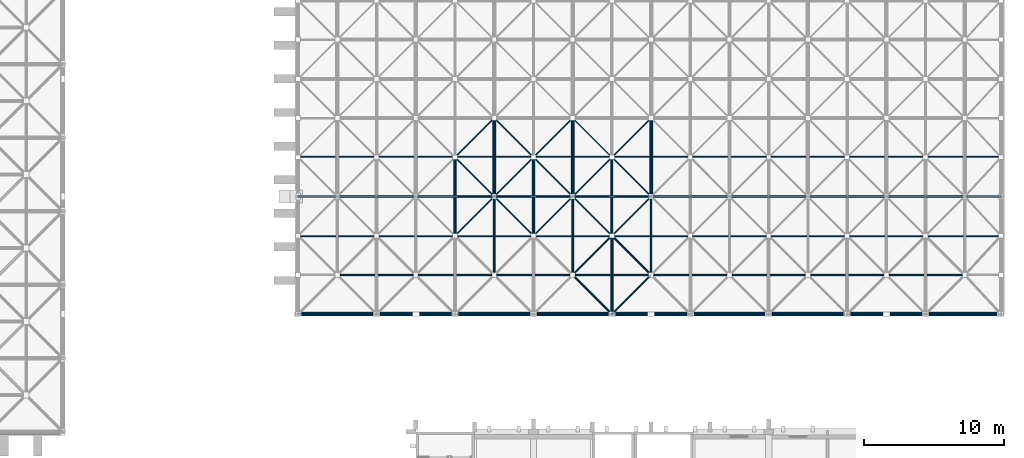
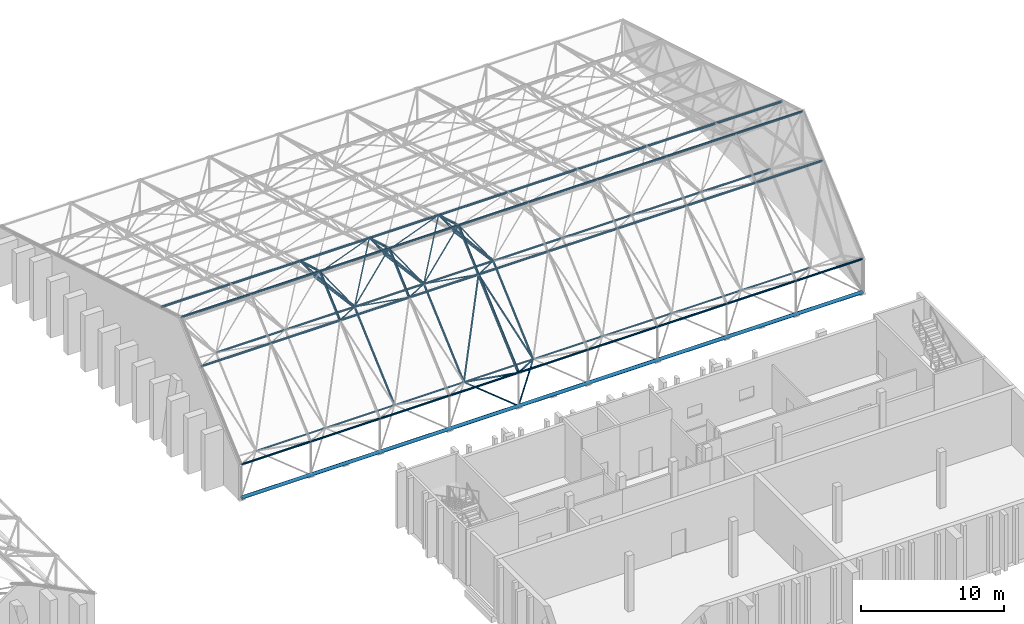
# One storey, part 34 of 100: 46 members.
"""IFC4 building model written with IfcOpenShell, lengths in metres."""

from ifc_helpers import new_model, si_unit, direction, frame, origin, origin_2d, place, context, subcontext, project, spatial, hollow_circle, extrude, material, material_profile, profile_set, type_object, element, save


model = new_model("IFC4")

# Units and contexts
model_context = context("Model", 3, precision=1e-05, world=origin(), true_north=direction((0.0, 1.0)))
body_context = subcontext(model_context, "Body", "Model", "MODEL_VIEW")
ifc_project = project(units=[si_unit("LENGTHUNIT", "METRE"), si_unit("AREAUNIT", "SQUARE_METRE"), si_unit("VOLUMEUNIT", "CUBIC_METRE"), si_unit("PLANEANGLEUNIT", "RADIAN"), si_unit("MASSUNIT", "GRAM", prefix="KILO")], contexts=[model_context])

# Site, building, storey
site_placement = place(None, origin())
site = spatial("IfcSite", under=ifc_project, at=site_placement, CompositionType="ELEMENT")
building_placement = place(site_placement, origin())
building = spatial("IfcBuilding", under=site, at=building_placement, Name="Kiln Court Media Centre", CompositionType="ELEMENT")
storey_placement = place(building_placement, frame((0.0, 0.0, 15.0)))
storey = spatial("IfcBuildingStorey", under=building, at=storey_placement, Name="L03", CompositionType="ELEMENT", Elevation=15.0)

# Members
ifc_material_1 = material(Name="Steel ASTM A500 Gr C", Category="steel")
ifc_material_profile_1 = material_profile(ifc_material_1, hollow_circle(Radius=0.05078125, WallThickness=0.0048828125, at=origin_2d()), Name="CHS 101.6x5.0")
ifc_profile_set_1 = profile_set([ifc_material_profile_1], Name="Steel ASTM A500 Gr C")
member_type_1 = type_object("IfcMemberType", Name="Steel ASTM A500 Gr C CHS 101.6x5.0 space frame brace", PredefinedType="BRACE", material=ifc_profile_set_1)
member_1_placement = place(storey_placement, frame((131.60009765625, 42.0, 6.478271484375), z_axis=(-0.660047429834, -0.660047429834, 0.358712671563), x_axis=(0.707106781187, -0.707106781187, 0.0)))
element("IfcMember", 1, at=member_1_placement, inside=storey, type_object=member_type_1, Name="V2 roof diagonal 2-3 space frame brace", PredefinedType="BRACE", context=body_context, shape_type="SweptSolid", body=[
    extrude(hollow_circle(Radius=0.05078125, WallThickness=0.0048828125, at=origin_2d()), origin(), (0.0, 0.0, 1.0), 4.2421875),
])
member_2_placement = place(storey_placement, frame((131.60009765625, 42.0, 6.478271484375), z_axis=(-0.550758393182, 0.550758393182, 0.627160573281), x_axis=(-0.707106781187, -0.707106781187, 0.0)))
element("IfcMember", 2, at=member_2_placement, inside=storey, type_object=member_type_1, Name="V2 roof diagonal 2-3 space frame brace", PredefinedType="BRACE", context=body_context, shape_type="SweptSolid", body=[
    extrude(hollow_circle(Radius=0.05078125, WallThickness=0.0048828125, at=origin_2d()), origin(), (0.0, 0.0, 1.0), 5.083984375),
])
member_3_placement = place(storey_placement, frame((131.60009765625, 42.0, 6.478271484375), z_axis=(0.660014950047, -0.660072502799, 0.358726297841), x_axis=(0.70713760873, 0.707075952299, 0.0)))
element("IfcMember", 3, at=member_3_placement, inside=storey, type_object=member_type_1, Name="V2 roof diagonal 2-3 space frame brace", PredefinedType="BRACE", context=body_context, shape_type="SweptSolid", body=[
    extrude(hollow_circle(Radius=0.05078125, WallThickness=0.0048828125, at=origin_2d()), origin(), (0.0, 0.0, 1.0), 4.241943359375),
])
member_4_placement = place(storey_placement, frame((131.60009765625, 42.0, 6.478271484375), z_axis=(0.550724936959, 0.550772959713, 0.627177160506), x_axis=(-0.70713760873, 0.707075952299, 0.0)))
element("IfcMember", 4, at=member_4_placement, inside=storey, type_object=member_type_1, Name="V2 roof diagonal 2-3 space frame brace", PredefinedType="BRACE", context=body_context, shape_type="SweptSolid", body=[
    extrude(hollow_circle(Radius=0.05078125, WallThickness=0.0048828125, at=origin_2d()), origin(), (0.0, 0.0, 1.0), 5.083740234375),
])
for number, where, z_axis, x_axis, name in (
    (5, (131.60009765625, 42.0, 6.478271484375), (-0.571384117126, 0.0, 0.820682758864), (0.0, -1.0, 0.0), "V2 roof ridge diagonal 2-3 space frame brace"),
    (6, (131.60009765625, 42.0, 6.478271484375), (0.571350561003, 0.0, 0.820706120631), (0.0, 1.0, 0.0), "V2 roof ridge diagonal 2-3 space frame brace"),
):
    element("IfcMember", number, at=place(storey_placement, frame(where, z_axis=z_axis, x_axis=x_axis)), inside=storey, type_object=member_type_1, Name=name, PredefinedType="BRACE", context=body_context, shape_type="SweptSolid", body=[
        extrude(hollow_circle(Radius=0.05078125, WallThickness=0.0048828125, at=origin_2d()), origin(), (0.0, 0.0, 1.0), 4.900390625),
    ])
member_5_placement = place(storey_placement, frame((137.199951171875, 42.0, 6.478271484375), z_axis=(-0.660047429834, -0.660047429834, 0.358712671563), x_axis=(0.707106781187, -0.707106781187, 0.0)))
element("IfcMember", 7, at=member_5_placement, inside=storey, type_object=member_type_1, Name="V2 roof diagonal 2-4 space frame brace", PredefinedType="BRACE", context=body_context, shape_type="SweptSolid", body=[
    extrude(hollow_circle(Radius=0.05078125, WallThickness=0.0048828125, at=origin_2d()), origin(), (0.0, 0.0, 1.0), 4.2421875),
])
member_6_placement = place(storey_placement, frame((137.199951171875, 42.0, 6.478271484375), z_axis=(-0.550758393182, 0.550758393182, 0.627160573281), x_axis=(-0.707106781187, -0.707106781187, 0.0)))
element("IfcMember", 8, at=member_6_placement, inside=storey, type_object=member_type_1, Name="V2 roof diagonal 2-4 space frame brace", PredefinedType="BRACE", context=body_context, shape_type="SweptSolid", body=[
    extrude(hollow_circle(Radius=0.05078125, WallThickness=0.0048828125, at=origin_2d()), origin(), (0.0, 0.0, 1.0), 5.083984375),
])
member_7_placement = place(storey_placement, frame((137.199951171875, 42.0, 6.478271484375), z_axis=(0.660047429834, -0.660047429834, 0.358712671563), x_axis=(0.707106781187, 0.707106781187, 0.0)))
element("IfcMember", 9, at=member_7_placement, inside=storey, type_object=member_type_1, Name="V2 roof diagonal 2-4 space frame brace", PredefinedType="BRACE", context=body_context, shape_type="SweptSolid", body=[
    extrude(hollow_circle(Radius=0.05078125, WallThickness=0.0048828125, at=origin_2d()), origin(), (0.0, 0.0, 1.0), 4.2421875),
])
member_8_placement = place(storey_placement, frame((137.199951171875, 42.0, 6.478271484375), z_axis=(0.550758393182, 0.550758393182, 0.627160573281), x_axis=(-0.707106781187, 0.707106781187, 0.0)))
element("IfcMember", 10, at=member_8_placement, inside=storey, type_object=member_type_1, Name="V2 roof diagonal 2-4 space frame brace", PredefinedType="BRACE", context=body_context, shape_type="SweptSolid", body=[
    extrude(hollow_circle(Radius=0.05078125, WallThickness=0.0048828125, at=origin_2d()), origin(), (0.0, 0.0, 1.0), 5.083984375),
])
for number, where, z_axis, x_axis, name in (
    (11, (137.199951171875, 42.0, 6.478271484375), (-0.571384117126, 0.0, 0.820682758864), (0.0, -1.0, 0.0), "V2 roof ridge diagonal 2-4 space frame brace"),
    (12, (137.199951171875, 42.0, 6.478271484375), (0.571384117126, 0.0, 0.820682758864), (0.0, 1.0, 0.0), "V2 roof ridge diagonal 2-4 space frame brace"),
):
    element("IfcMember", number, at=place(storey_placement, frame(where, z_axis=z_axis, x_axis=x_axis)), inside=storey, type_object=member_type_1, Name=name, PredefinedType="BRACE", context=body_context, shape_type="SweptSolid", body=[
        extrude(hollow_circle(Radius=0.05078125, WallThickness=0.0048828125, at=origin_2d()), origin(), (0.0, 0.0, 1.0), 4.900390625),
    ])
member_9_placement = place(storey_placement, frame((142.800048828125, 42.0, 6.478271484375), z_axis=(-0.660047429834, -0.660047429834, 0.358712671563), x_axis=(0.707106781187, -0.707106781187, 0.0)))
element("IfcMember", 13, at=member_9_placement, inside=storey, type_object=member_type_1, Name="V2 roof diagonal 2-5 space frame brace", PredefinedType="BRACE", context=body_context, shape_type="SweptSolid", body=[
    extrude(hollow_circle(Radius=0.05078125, WallThickness=0.0048828125, at=origin_2d()), origin(), (0.0, 0.0, 1.0), 4.2421875),
])
member_10_placement = place(storey_placement, frame((142.800048828125, 42.0, 6.478271484375), z_axis=(-0.550758393182, 0.550758393182, 0.627160573281), x_axis=(-0.707106781187, -0.707106781187, 0.0)))
element("IfcMember", 14, at=member_10_placement, inside=storey, type_object=member_type_1, Name="V2 roof diagonal 2-5 space frame brace", PredefinedType="BRACE", context=body_context, shape_type="SweptSolid", body=[
    extrude(hollow_circle(Radius=0.05078125, WallThickness=0.0048828125, at=origin_2d()), origin(), (0.0, 0.0, 1.0), 5.083984375),
])
member_11_placement = place(storey_placement, frame((142.800048828125, 42.0, 6.478271484375), z_axis=(-0.571384117126, 0.0, 0.820682758864), x_axis=(0.0, -1.0, 0.0)))
element("IfcMember", 15, at=member_11_placement, inside=storey, type_object=member_type_1, Name="V2 roof ridge diagonal 2-5 space frame brace", PredefinedType="BRACE", context=body_context, shape_type="SweptSolid", body=[
    extrude(hollow_circle(Radius=0.05078125, WallThickness=0.0048828125, at=origin_2d()), origin(), (0.0, 0.0, 1.0), 4.900390625),
])
ifc_material_2 = material(Name="Steel ASTM A500 Gr C", Category="steel")
ifc_material_profile_2 = material_profile(ifc_material_2, hollow_circle(Radius=0.05712890625, WallThickness=0.0048828125, at=origin_2d()), Name="CHS 114.3x5.0")
ifc_profile_set_2 = profile_set([ifc_material_profile_2], Name="Steel ASTM A500 Gr C")
member_type_2 = type_object("IfcMemberType", Name="Steel ASTM A500 Gr C CHS 114.3x5.0 space frame brace", PredefinedType="BRACE", material=ifc_profile_set_2)
for number, where, z_axis, x_axis, name in (
    (16, (140.0, 33.60009765625, 0.16455078125), (-0.671163096856, 0.671104577098, 0.314894814211), (-0.707075952299, -0.70713760873, 0.0), "V2 roof bearing tie first 5 space frame brace"),
    (17, (140.0, 33.60009765625, 0.16455078125), (0.671163096856, 0.671104577098, 0.314894814211), (-0.707075952299, 0.70713760873, 0.0), "V2 roof bearing tie first 5 space frame brace"),
):
    element("IfcMember", number, at=place(storey_placement, frame(where, z_axis=z_axis, x_axis=x_axis)), inside=storey, type_object=member_type_2, Name=name, PredefinedType="BRACE", context=body_context, shape_type="SweptSolid", body=[
        extrude(hollow_circle(Radius=0.05712890625, WallThickness=0.0048828125, at=origin_2d()), origin(), (0.0, 0.0, 1.0), 4.171875),
    ])
ifc_material_3 = material(Name="Steel ASTM A500 Gr C", Category="steel")
ifc_material_profile_3 = material_profile(ifc_material_3, hollow_circle(Radius=0.06982421875, WallThickness=0.0048828125, at=origin_2d()), Name="CHS 139.7x5.0")
ifc_profile_set_3 = profile_set([ifc_material_profile_3], Name="Steel ASTM A500 Gr C")
member_type_3 = type_object("IfcMemberType", Name="Steel ASTM A500 Gr C CHS 139.7x5.0 space frame brace", PredefinedType="BRACE", material=ifc_profile_set_3)
member_12_placement = place(storey_placement, frame((137.199951171875, 36.39990234375, 1.478271484375), z_axis=(0.660072502799, -0.660014950047, 0.358726297841), x_axis=(0.707075952299, 0.70713760873, 0.0)))
element("IfcMember", 18, at=member_12_placement, inside=storey, type_object=member_type_3, Name="V2 roof diagonal 1-4 space frame brace", PredefinedType="BRACE", context=body_context, shape_type="SweptSolid", body=[
    extrude(hollow_circle(Radius=0.06982421875, WallThickness=0.0048828125, at=origin_2d()), origin(), (0.0, 0.0, 1.0), 4.241943359375),
])
member_13_placement = place(storey_placement, frame((137.199951171875, 36.39990234375, 1.478271484375), z_axis=(0.366989625659, 0.366989625659, 0.854773203439), x_axis=(-0.707106781187, 0.707106781187, 0.0)))
element("IfcMember", 19, at=member_13_placement, inside=storey, type_object=member_type_3, Name="V2 roof diagonal 1-4 space frame brace", PredefinedType="BRACE", context=body_context, shape_type="SweptSolid", body=[
    extrude(hollow_circle(Radius=0.06982421875, WallThickness=0.0048828125, at=origin_2d()), origin(), (0.0, 0.0, 1.0), 7.6298828125),
])
member_14_placement = place(storey_placement, frame((142.800048828125, 36.39990234375, 1.478271484375), z_axis=(-0.660072502799, -0.660014950047, 0.358726297841), x_axis=(0.707075952299, -0.70713760873, 0.0)))
element("IfcMember", 20, at=member_14_placement, inside=storey, type_object=member_type_3, Name="V2 roof diagonal 1-5 space frame brace", PredefinedType="BRACE", context=body_context, shape_type="SweptSolid", body=[
    extrude(hollow_circle(Radius=0.06982421875, WallThickness=0.0048828125, at=origin_2d()), origin(), (0.0, 0.0, 1.0), 4.241943359375),
])
member_15_placement = place(storey_placement, frame((142.800048828125, 36.39990234375, 1.478271484375), z_axis=(-0.366989625659, 0.366989625659, 0.854773203439), x_axis=(-0.707106781187, -0.707106781187, 0.0)))
element("IfcMember", 21, at=member_15_placement, inside=storey, type_object=member_type_3, Name="V2 roof diagonal 1-5 space frame brace", PredefinedType="BRACE", context=body_context, shape_type="SweptSolid", body=[
    extrude(hollow_circle(Radius=0.06982421875, WallThickness=0.0048828125, at=origin_2d()), origin(), (0.0, 0.0, 1.0), 7.6298828125),
])
ifc_material_4 = material(Name="Steel ASTM A500 Gr C", Category="steel")
ifc_material_profile_4 = material_profile(ifc_material_4, hollow_circle(Radius=0.06982421875, WallThickness=0.0048828125, at=origin_2d()), Name="CHS 139.7x5.0")
ifc_profile_set_4 = profile_set([ifc_material_profile_4], Name="Steel ASTM A500 Gr C")
member_type_4 = type_object("IfcMemberType", Name="Steel ASTM A500 Gr C CHS 139.7x5.0 space frame chord", PredefinedType="CHORD", material=ifc_profile_set_4)
member_16_placement = place(storey_placement, frame((120.39990234375, 36.39990234375, 1.478271484375), z_axis=(1.0, 0.0, 0.0), x_axis=(0.0, 1.0, 0.0)))
element("IfcMember", 22, at=member_16_placement, inside=storey, type_object=member_type_4, Name="V2 roof bottom chord along line 1 space frame chord", PredefinedType="CHORD", context=body_context, shape_type="SweptSolid", body=[
    extrude(hollow_circle(Radius=0.06982421875, WallThickness=0.0048828125, at=origin_2d()), origin(), (0.0, 0.0, 1.0), 44.800048828125),
])
ifc_material_5 = material(Name="Steel ASTM A500 Gr C", Category="steel")
ifc_material_profile_5 = material_profile(ifc_material_5, hollow_circle(Radius=0.084228515625, WallThickness=0.00634765625, at=origin_2d()), Name="CHS 168.3x6.3")
ifc_profile_set_5 = profile_set([ifc_material_profile_5], Name="Steel ASTM A500 Gr C")
member_type_5 = type_object("IfcMemberType", Name="Steel ASTM A500 Gr C CHS 168.3x6.3 space frame chord", PredefinedType="CHORD", material=ifc_profile_set_5)
member_17_placement = place(storey_placement, frame((117.60009765625, 33.60009765625, 3.0), z_axis=(1.0, 0.0, 0.0), x_axis=(0.0, 1.0, 0.0)))
element("IfcMember", 23, at=member_17_placement, inside=storey, type_object=member_type_5, Name="V2 roof top chord along line 1 space frame chord", PredefinedType="CHORD", context=body_context, shape_type="SweptSolid", body=[
    extrude(hollow_circle(Radius=0.084228515625, WallThickness=0.00634765625, at=origin_2d()), origin(), (0.0, 0.0, 1.0), 50.1865234375),
])
member_18_placement = place(storey_placement, frame((120.39990234375, 42.0, 6.478271484375), z_axis=(1.0, 0.0, 0.0), x_axis=(0.0, 1.0, 0.0)))
element("IfcMember", 24, at=member_18_placement, inside=storey, type_object=member_type_5, Name="V2 roof bottom chord along line 2 space frame chord", PredefinedType="CHORD", context=body_context, shape_type="SweptSolid", body=[
    extrude(hollow_circle(Radius=0.084228515625, WallThickness=0.00634765625, at=origin_2d()), origin(), (0.0, 0.0, 1.0), 44.800048828125),
])
for number, where, z_axis, x_axis, name in (
    (25, (131.60009765625, 36.39990234375, 1.478271484375), (0.0, 0.745943431645, 0.666009306831), (-1.0, 0.0, 0.0), "V2 roof bottom chord across line 3 space frame chord"),
    (26, (137.199951171875, 36.39990234375, 1.478271484375), (0.0, 0.745943431645, 0.666009306831), (-1.0, 0.0, 0.0), "V2 roof bottom chord across line 4 space frame chord"),
    (27, (142.800048828125, 36.39990234375, 1.478271484375), (0.0, 0.745943431645, 0.666009306831), (-1.0, 0.0, 0.0), "V2 roof bottom chord across line 5 space frame chord"),
):
    element("IfcMember", number, at=place(storey_placement, frame(where, z_axis=z_axis, x_axis=x_axis)), inside=storey, type_object=member_type_5, Name=name, PredefinedType="CHORD", context=body_context, shape_type="SweptSolid", body=[
        extrude(hollow_circle(Radius=0.084228515625, WallThickness=0.00634765625, at=origin_2d()), origin(), (0.0, 0.0, 1.0), 7.50732421875),
    ])
ifc_material_6 = material(Name="Steel ASTM A500 Gr C", Category="steel")
ifc_material_profile_6 = material_profile(ifc_material_6, hollow_circle(Radius=0.096923828125, WallThickness=0.008056640625, at=origin_2d()), Name="CHS 193.7x8.0")
ifc_profile_set_6 = profile_set([ifc_material_profile_6], Name="Steel ASTM A500 Gr C")
member_type_6 = type_object("IfcMemberType", Name="Steel ASTM A500 Gr C CHS 193.7x8.0 space frame chord", PredefinedType="CHORD", material=ifc_profile_set_6)
for number, where, z_axis, x_axis, name in (
    (28, (117.60009765625, 39.199951171875, 8.0), (1.0, 0.0, 0.0), (0.0, 1.0, 0.0), "V2 roof top chord along line 2 space frame chord"),
    (29, (117.60009765625, 42.0, 10.5), (1.0, 0.0, 0.0), (0.0, 1.0, 0.0), "V2 roof top chord along line 3 space frame chord"),
    (30, (117.60009765625, 44.800048828125, 9.666748046875), (1.0, 0.0, 0.0), (0.0, 1.0, 0.0), "V2 roof top chord along line 4 space frame chord"),
):
    element("IfcMember", number, at=place(storey_placement, frame(where, z_axis=z_axis, x_axis=x_axis)), inside=storey, type_object=member_type_6, Name=name, PredefinedType="CHORD", context=body_context, shape_type="SweptSolid", body=[
        extrude(hollow_circle(Radius=0.096923828125, WallThickness=0.008056640625, at=origin_2d()), origin(), (0.0, 0.0, 1.0), 50.1865234375),
    ])
member_19_placement = place(storey_placement, frame((128.800048828125, 39.199951171875, 8.0), z_axis=(0.0, 0.745943431645, 0.666009306831), x_axis=(-1.0, 0.0, 0.0)))
element("IfcMember", 31, at=member_19_placement, inside=storey, type_object=member_type_6, Name="V2 roof top chord across line 3 space frame chord", PredefinedType="CHORD", context=body_context, shape_type="SweptSolid", body=[
    extrude(hollow_circle(Radius=0.096923828125, WallThickness=0.008056640625, at=origin_2d()), origin(), (0.0, 0.0, 1.0), 3.753662109375),
])
member_20_placement = place(storey_placement, frame((128.800048828125, 42.0, 10.5), z_axis=(0.0, 0.958461054013, -0.285223435116), x_axis=(-1.0, 0.0, 0.0)))
element("IfcMember", 32, at=member_20_placement, inside=storey, type_object=member_type_6, Name="V2 roof top chord across line 3 space frame chord", PredefinedType="CHORD", context=body_context, shape_type="SweptSolid", body=[
    extrude(hollow_circle(Radius=0.096923828125, WallThickness=0.008056640625, at=origin_2d()), origin(), (0.0, 0.0, 1.0), 2.92138671875),
])
member_21_placement = place(storey_placement, frame((134.39990234375, 39.199951171875, 8.0), z_axis=(0.0, 0.745943431645, 0.666009306831), x_axis=(-1.0, 0.0, 0.0)))
element("IfcMember", 33, at=member_21_placement, inside=storey, type_object=member_type_6, Name="V2 roof top chord across line 4 space frame chord", PredefinedType="CHORD", context=body_context, shape_type="SweptSolid", body=[
    extrude(hollow_circle(Radius=0.096923828125, WallThickness=0.008056640625, at=origin_2d()), origin(), (0.0, 0.0, 1.0), 3.753662109375),
])
member_22_placement = place(storey_placement, frame((134.39990234375, 42.0, 10.5), z_axis=(0.0, 0.958461054013, -0.285223435116), x_axis=(-1.0, 0.0, 0.0)))
element("IfcMember", 34, at=member_22_placement, inside=storey, type_object=member_type_6, Name="V2 roof top chord across line 4 space frame chord", PredefinedType="CHORD", context=body_context, shape_type="SweptSolid", body=[
    extrude(hollow_circle(Radius=0.096923828125, WallThickness=0.008056640625, at=origin_2d()), origin(), (0.0, 0.0, 1.0), 2.92138671875),
])
member_23_placement = place(storey_placement, frame((140.0, 39.199951171875, 8.0), z_axis=(0.0, 0.745943431645, 0.666009306831), x_axis=(-1.0, 0.0, 0.0)))
element("IfcMember", 35, at=member_23_placement, inside=storey, type_object=member_type_6, Name="V2 roof top chord across line 5 space frame chord", PredefinedType="CHORD", context=body_context, shape_type="SweptSolid", body=[
    extrude(hollow_circle(Radius=0.096923828125, WallThickness=0.008056640625, at=origin_2d()), origin(), (0.0, 0.0, 1.0), 3.753662109375),
])
member_24_placement = place(storey_placement, frame((140.0, 42.0, 10.5), z_axis=(0.0, 0.958461054013, -0.285223435116), x_axis=(-1.0, 0.0, 0.0)))
element("IfcMember", 36, at=member_24_placement, inside=storey, type_object=member_type_6, Name="V2 roof top chord across line 5 space frame chord", PredefinedType="CHORD", context=body_context, shape_type="SweptSolid", body=[
    extrude(hollow_circle(Radius=0.096923828125, WallThickness=0.008056640625, at=origin_2d()), origin(), (0.0, 0.0, 1.0), 2.92138671875),
])
ifc_material_7 = material(Name="Steel ASTM A500 Gr C", Category="steel")
ifc_material_profile_7 = material_profile(ifc_material_7, hollow_circle(Radius=0.109619140625, WallThickness=0.008056640625, at=origin_2d()), Name="CHS 219.1x8.0")
ifc_profile_set_7 = profile_set([ifc_material_profile_7], Name="Steel ASTM A500 Gr C")
member_type_7 = type_object("IfcMemberType", Name="Steel ASTM A500 Gr C CHS 219.1x8.0 space frame chord", PredefinedType="CHORD", material=ifc_profile_set_7)
member_25_placement = place(storey_placement, frame((140.0, 33.60009765625, 3.0), z_axis=(0.0, 0.745929006282, 0.666025463167), x_axis=(-1.0, 0.0, 0.0)))
element("IfcMember", 37, at=member_25_placement, inside=storey, type_object=member_type_7, Name="V2 roof top chord across line 5 space frame chord", PredefinedType="CHORD", context=body_context, shape_type="SweptSolid", body=[
    extrude(hollow_circle(Radius=0.109619140625, WallThickness=0.008056640625, at=origin_2d()), origin(), (0.0, 0.0, 1.0), 7.50732421875),
])
ifc_material_8 = material(Name="Steel ASTM A500 Gr C", Category="steel")
ifc_material_profile_8 = material_profile(ifc_material_8, hollow_circle(Radius=0.122314453125, WallThickness=0.010009765625, at=origin_2d()), Name="CHS 244.5x10.0")
ifc_profile_set_8 = profile_set([ifc_material_profile_8], Name="Steel ASTM A500 Gr C")
member_type_8 = type_object("IfcMemberType", Name="Steel ASTM A500 Gr C CHS 244.5x10.0 space frame chord", PredefinedType="CHORD", material=ifc_profile_set_8)
for number, where, z_axis, x_axis, name in (
    (38, (131.60009765625, 42.0, 6.478271484375), (0.0, 0.990561777326, -0.137067010255), (-1.0, 0.0, 0.0), "V2 roof bottom chord across line 3 space frame chord"),
    (39, (137.199951171875, 42.0, 6.478271484375), (0.0, 0.990561777326, -0.137067010255), (-1.0, 0.0, 0.0), "V2 roof bottom chord across line 4 space frame chord"),
    (40, (142.800048828125, 42.0, 6.478271484375), (0.0, 0.990561777326, -0.137067010255), (-1.0, 0.0, 0.0), "V2 roof bottom chord across line 5 space frame chord"),
):
    element("IfcMember", number, at=place(storey_placement, frame(where, z_axis=z_axis, x_axis=x_axis)), inside=storey, type_object=member_type_8, Name=name, PredefinedType="CHORD", context=body_context, shape_type="SweptSolid", body=[
        extrude(hollow_circle(Radius=0.122314453125, WallThickness=0.010009765625, at=origin_2d()), origin(), (0.0, 0.0, 1.0), 5.653564453125),
    ])
ifc_material_9 = material(Name="Steel ASTM A500 Gr C", Category="steel")
ifc_material_profile_9 = material_profile(ifc_material_9, hollow_circle(Radius=0.136474609375, WallThickness=0.010009765625, at=origin_2d()), Name="CHS 273.0x10.0")
ifc_profile_set_9 = profile_set([ifc_material_profile_9], Name="Steel ASTM A500 Gr C")
member_type_9 = type_object("IfcMemberType", Name="Steel ASTM A500 Gr C CHS 273.0x10.0 space frame chord", PredefinedType="CHORD", material=ifc_profile_set_9)
member_26_placement = place(storey_placement, frame((117.60009765625, 33.60009765625, 0.16455078125), z_axis=(1.0, 0.0, 0.0), x_axis=(0.0, 1.0, 0.0)))
element("IfcMember", 41, at=member_26_placement, inside=storey, type_object=member_type_9, Name="V2 roof bearing chord first side space frame chord", PredefinedType="CHORD", context=body_context, shape_type="SweptSolid", body=[
    extrude(hollow_circle(Radius=0.136474609375, WallThickness=0.010009765625, at=origin_2d()), origin(), (0.0, 0.0, 1.0), 50.1865234375),
])
ifc_material_10 = material(Name="Steel ASTM A500 Gr C", Category="steel")
ifc_material_profile_10 = material_profile(ifc_material_10, hollow_circle(Radius=0.04443359375, WallThickness=0.00390625, at=origin_2d()), Name="CHS 88.9x4.0")
ifc_profile_set_10 = profile_set([ifc_material_profile_10], Name="Steel ASTM A500 Gr C")
member_type_10 = type_object("IfcMemberType", Name="Steel ASTM A500 Gr C CHS 88.9x4.0 space frame brace", PredefinedType="BRACE", material=ifc_profile_set_10)
for number, where, z_axis, x_axis, name in (
    (42, (131.60009765625, 47.60009765625, 5.703369140625), (-0.499778332252, -0.499778332252, 0.707420127804), (0.707106781187, -0.707106781187, 0.0), "V2 roof diagonal 3-3 space frame brace"),
    (43, (131.60009765625, 47.60009765625, 5.703369140625), (0.499745639188, -0.499789216589, 0.707435534232), (0.70713760873, 0.707075952299, 0.0), "V2 roof diagonal 3-3 space frame brace"),
    (44, (137.199951171875, 47.60009765625, 5.703369140625), (-0.499778332252, -0.499778332252, 0.707420127804), (0.707106781187, -0.707106781187, 0.0), "V2 roof diagonal 3-4 space frame brace"),
    (45, (137.199951171875, 47.60009765625, 5.703369140625), (0.499778332252, -0.499778332252, 0.707420127804), (0.707106781187, 0.707106781187, 0.0), "V2 roof diagonal 3-4 space frame brace"),
    (46, (142.800048828125, 47.60009765625, 5.703369140625), (-0.499778332252, -0.499778332252, 0.707420127804), (0.707106781187, -0.707106781187, 0.0), "V2 roof diagonal 3-5 space frame brace"),
):
    element("IfcMember", number, at=place(storey_placement, frame(where, z_axis=z_axis, x_axis=x_axis)), inside=storey, type_object=member_type_10, Name=name, PredefinedType="BRACE", context=body_context, shape_type="SweptSolid", body=[
        extrude(hollow_circle(Radius=0.04443359375, WallThickness=0.00390625, at=origin_2d()), origin(), (0.0, 0.0, 1.0), 5.6025390625),
    ])

save(model, "model.ifc")
